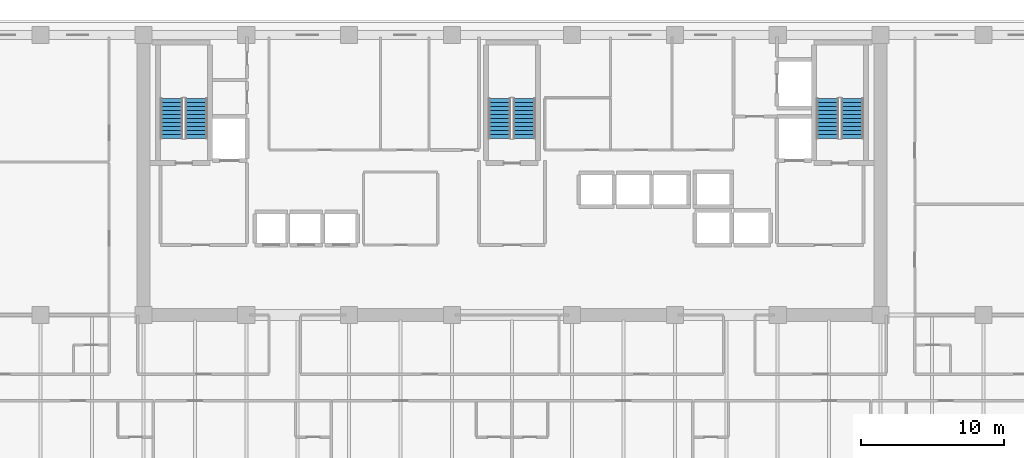
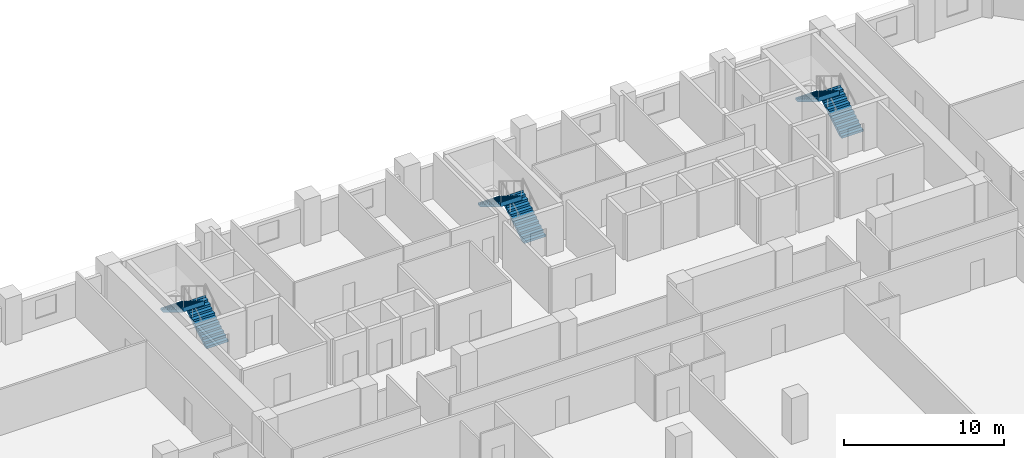
# One storey, part 11 of 15: 6 stair flights, 3 elements without a shape of their own.
"""IFC4 building model written with IfcOpenShell, lengths in metres."""

from ifc_helpers import new_model, si_unit, direction, frame, origin, place, context, subcontext, project, spatial, polyline, outline, extrude, material, type_object, element, aggregate, save


model = new_model("IFC4")

# Units and contexts
model_context = context("Model", 3, precision=1e-05, world=origin(), true_north=direction((0.0, 1.0)))
body_context = subcontext(model_context, "Body", "Model", "MODEL_VIEW")
ifc_project = project(units=[si_unit("LENGTHUNIT", "METRE"), si_unit("AREAUNIT", "SQUARE_METRE"), si_unit("VOLUMEUNIT", "CUBIC_METRE"), si_unit("PLANEANGLEUNIT", "RADIAN"), si_unit("MASSUNIT", "GRAM", prefix="KILO")], contexts=[model_context])

# Site, building, storey
site_placement = place(None, origin())
site = spatial("IfcSite", under=ifc_project, at=site_placement, CompositionType="ELEMENT")
building_placement = place(site_placement, origin())
building = spatial("IfcBuilding", under=site, at=building_placement, Name="Kaelvorn Grand Hotel", CompositionType="ELEMENT")
storey_placement = place(building_placement, frame((0.0, 0.0, 115.550048828125)))
storey = spatial("IfcBuildingStorey", under=building, at=storey_placement, Name="L27", CompositionType="ELEMENT", Elevation=115.550048828125)

# Stair, stair flights
ifc_material = material(Name="Concrete C40/50", Category="concrete")
stair_type = type_object("IfcStairType", Name="STR-DOG-1560-R06", PredefinedType="HALF_TURN_STAIR", material=ifc_material)
stair_1_placement = place(storey_placement, origin())
stair_1 = element("IfcStair", 1, at=stair_1_placement, inside=storey, type_object=stair_type, Name="L27 West Core Exit Stair ST1", PredefinedType="HALF_TURN_STAIR")
stair_flight_type = type_object("IfcStairFlightType", Name="FLG-DOG-1560-R06", PredefinedType="STRAIGHT", material=ifc_material)
stair_flight_1_placement = place(storey_placement, frame((19.89990234375, 41.760009765625, 0.0), z_axis=(0.0, 0.0, 1.0), x_axis=(0.0, 1.0, 0.0)))
stair_flight_1 = element("IfcStairFlight", 2, at=stair_flight_1_placement, type_object=stair_flight_type, Name="ST1 flight 1", NumberOfRisers=11, NumberOfTreads=10, PredefinedType="STRAIGHT", RiserHeight=0.170454545, TreadLength=0.28, context=body_context, shape_type="SweptSolid", body=[
    extrude(outline(polyline([(-0.0048828125, 0.0), (-0.0048828125, 0.0400390625), (0.0, 0.17041015625), (0.280029296875, 0.17041015625), (0.280029296875, 0.3408203125), (0.56005859375, 0.3408203125), (0.56005859375, 0.511474609375), (0.840087890625, 0.511474609375), (0.840087890625, 0.681884765625), (1.1201171875, 0.681884765625), (1.1201171875, 0.852294921875), (1.39990234375, 0.852294921875), (1.39990234375, 1.022705078125), (1.679931640625, 1.022705078125), (1.679931640625, 1.193115234375), (1.9599609375, 1.193115234375), (1.9599609375, 1.363525390625), (2.239990234375, 1.363525390625), (2.239990234375, 1.5341796875), (2.52001953125, 1.5341796875), (2.52001953125, 1.70458984375), (2.800048828125, 1.70458984375), (2.800048828125, 1.875), (2.804931640625, 1.875), (2.804931640625, 1.529052734375), (0.288330078125, 0.0), (-0.0048828125, 0.0)])), frame((0.0, 0.780029296875, 0.0), z_axis=(0.0, -1.0, 0.0), x_axis=(1.0, 0.0, 0.0)), (0.0, 0.0, 1.0), 1.56005859375),
])
stair_flight_2_placement = place(storey_placement, frame((18.179931640625, 44.56005859375, 1.875), z_axis=(0.0, 0.0, 1.0), x_axis=(0.0, -1.0, 0.0)))
stair_flight_2 = element("IfcStairFlight", 3, at=stair_flight_2_placement, type_object=stair_flight_type, Name="ST1 flight 2", NumberOfRisers=11, NumberOfTreads=10, PredefinedType="STRAIGHT", RiserHeight=0.170454545, TreadLength=0.28, context=body_context, shape_type="SweptSolid", body=[
    extrude(outline(polyline([(-0.0048828125, 0.0), (-0.0048828125, 0.0400390625), (0.0, 0.17041015625), (0.280029296875, 0.17041015625), (0.280029296875, 0.3408203125), (0.56005859375, 0.3408203125), (0.56005859375, 0.511474609375), (0.840087890625, 0.511474609375), (0.840087890625, 0.681884765625), (1.1201171875, 0.681884765625), (1.1201171875, 0.852294921875), (1.39990234375, 0.852294921875), (1.39990234375, 1.022705078125), (1.679931640625, 1.022705078125), (1.679931640625, 1.193115234375), (1.9599609375, 1.193115234375), (1.9599609375, 1.363525390625), (2.239990234375, 1.363525390625), (2.239990234375, 1.5341796875), (2.52001953125, 1.5341796875), (2.52001953125, 1.70458984375), (2.800048828125, 1.70458984375), (2.800048828125, 1.875), (2.804931640625, 1.875), (2.804931640625, 1.529052734375), (0.288330078125, 0.0), (-0.0048828125, 0.0)])), frame((0.0, 0.780029296875, 0.0), z_axis=(0.0, -1.0, 0.0), x_axis=(1.0, 0.0, 0.0)), (0.0, 0.0, 1.0), 1.56005859375),
])
aggregate(stair_1, [stair_flight_1, stair_flight_2])

stair_2_placement = place(storey_placement, origin())
stair_2 = element("IfcStair", 4, at=stair_2_placement, inside=storey, type_object=stair_type, Name="L27 Central Core Exit Stair ST2", PredefinedType="HALF_TURN_STAIR")
stair_flight_3_placement = place(storey_placement, frame((42.860107421875, 41.760009765625, 0.0), z_axis=(0.0, 0.0, 1.0), x_axis=(0.0, 1.0, 0.0)))
stair_flight_3 = element("IfcStairFlight", 5, at=stair_flight_3_placement, type_object=stair_flight_type, Name="ST2 flight 1", NumberOfRisers=11, NumberOfTreads=10, PredefinedType="STRAIGHT", RiserHeight=0.170454545, TreadLength=0.28, context=body_context, shape_type="SweptSolid", body=[
    extrude(outline(polyline([(-0.0048828125, 0.0), (-0.0048828125, 0.0400390625), (0.0, 0.17041015625), (0.280029296875, 0.17041015625), (0.280029296875, 0.3408203125), (0.56005859375, 0.3408203125), (0.56005859375, 0.511474609375), (0.840087890625, 0.511474609375), (0.840087890625, 0.681884765625), (1.1201171875, 0.681884765625), (1.1201171875, 0.852294921875), (1.39990234375, 0.852294921875), (1.39990234375, 1.022705078125), (1.679931640625, 1.022705078125), (1.679931640625, 1.193115234375), (1.9599609375, 1.193115234375), (1.9599609375, 1.363525390625), (2.239990234375, 1.363525390625), (2.239990234375, 1.5341796875), (2.52001953125, 1.5341796875), (2.52001953125, 1.70458984375), (2.800048828125, 1.70458984375), (2.800048828125, 1.875), (2.804931640625, 1.875), (2.804931640625, 1.529052734375), (0.288330078125, 0.0), (-0.0048828125, 0.0)])), frame((0.0, 0.780029296875, 0.0), z_axis=(0.0, -1.0, 0.0), x_axis=(1.0, 0.0, 0.0)), (0.0, 0.0, 1.0), 1.56005859375),
])
stair_flight_4_placement = place(storey_placement, frame((41.139892578125, 44.56005859375, 1.875), z_axis=(0.0, 0.0, 1.0), x_axis=(0.0, -1.0, 0.0)))
stair_flight_4 = element("IfcStairFlight", 6, at=stair_flight_4_placement, type_object=stair_flight_type, Name="ST2 flight 2", NumberOfRisers=11, NumberOfTreads=10, PredefinedType="STRAIGHT", RiserHeight=0.170454545, TreadLength=0.28, context=body_context, shape_type="SweptSolid", body=[
    extrude(outline(polyline([(-0.0048828125, 0.0), (-0.0048828125, 0.0400390625), (0.0, 0.17041015625), (0.280029296875, 0.17041015625), (0.280029296875, 0.3408203125), (0.56005859375, 0.3408203125), (0.56005859375, 0.511474609375), (0.840087890625, 0.511474609375), (0.840087890625, 0.681884765625), (1.1201171875, 0.681884765625), (1.1201171875, 0.852294921875), (1.39990234375, 0.852294921875), (1.39990234375, 1.022705078125), (1.679931640625, 1.022705078125), (1.679931640625, 1.193115234375), (1.9599609375, 1.193115234375), (1.9599609375, 1.363525390625), (2.239990234375, 1.363525390625), (2.239990234375, 1.5341796875), (2.52001953125, 1.5341796875), (2.52001953125, 1.70458984375), (2.800048828125, 1.70458984375), (2.800048828125, 1.875), (2.804931640625, 1.875), (2.804931640625, 1.529052734375), (0.288330078125, 0.0), (-0.0048828125, 0.0)])), frame((0.0, 0.780029296875, 0.0), z_axis=(0.0, -1.0, 0.0), x_axis=(1.0, 0.0, 0.0)), (0.0, 0.0, 1.0), 1.56005859375),
])
aggregate(stair_2, [stair_flight_3, stair_flight_4])

stair_3_placement = place(storey_placement, origin())
stair_3 = element("IfcStair", 7, at=stair_3_placement, inside=storey, type_object=stair_type, Name="L27 East Core Exit Stair ST3", PredefinedType="HALF_TURN_STAIR")
stair_flight_5_placement = place(storey_placement, frame((65.820068359375, 41.760009765625, 0.0), z_axis=(0.0, 0.0, 1.0), x_axis=(0.0, 1.0, 0.0)))
stair_flight_5 = element("IfcStairFlight", 8, at=stair_flight_5_placement, type_object=stair_flight_type, Name="ST3 flight 1", NumberOfRisers=11, NumberOfTreads=10, PredefinedType="STRAIGHT", RiserHeight=0.170454545, TreadLength=0.28, context=body_context, shape_type="SweptSolid", body=[
    extrude(outline(polyline([(-0.0048828125, 0.0), (-0.0048828125, 0.0400390625), (0.0, 0.17041015625), (0.280029296875, 0.17041015625), (0.280029296875, 0.3408203125), (0.56005859375, 0.3408203125), (0.56005859375, 0.511474609375), (0.840087890625, 0.511474609375), (0.840087890625, 0.681884765625), (1.1201171875, 0.681884765625), (1.1201171875, 0.852294921875), (1.39990234375, 0.852294921875), (1.39990234375, 1.022705078125), (1.679931640625, 1.022705078125), (1.679931640625, 1.193115234375), (1.9599609375, 1.193115234375), (1.9599609375, 1.363525390625), (2.239990234375, 1.363525390625), (2.239990234375, 1.5341796875), (2.52001953125, 1.5341796875), (2.52001953125, 1.70458984375), (2.800048828125, 1.70458984375), (2.800048828125, 1.875), (2.804931640625, 1.875), (2.804931640625, 1.529052734375), (0.288330078125, 0.0), (-0.0048828125, 0.0)])), frame((0.0, 0.780029296875, 0.0), z_axis=(0.0, -1.0, 0.0), x_axis=(1.0, 0.0, 0.0)), (0.0, 0.0, 1.0), 1.56005859375),
])
stair_flight_6_placement = place(storey_placement, frame((64.10009765625, 44.56005859375, 1.875), z_axis=(0.0, 0.0, 1.0), x_axis=(0.0, -1.0, 0.0)))
stair_flight_6 = element("IfcStairFlight", 9, at=stair_flight_6_placement, type_object=stair_flight_type, Name="ST3 flight 2", NumberOfRisers=11, NumberOfTreads=10, PredefinedType="STRAIGHT", RiserHeight=0.170454545, TreadLength=0.28, context=body_context, shape_type="SweptSolid", body=[
    extrude(outline(polyline([(-0.0048828125, 0.0), (-0.0048828125, 0.0400390625), (0.0, 0.17041015625), (0.280029296875, 0.17041015625), (0.280029296875, 0.3408203125), (0.56005859375, 0.3408203125), (0.56005859375, 0.511474609375), (0.840087890625, 0.511474609375), (0.840087890625, 0.681884765625), (1.1201171875, 0.681884765625), (1.1201171875, 0.852294921875), (1.39990234375, 0.852294921875), (1.39990234375, 1.022705078125), (1.679931640625, 1.022705078125), (1.679931640625, 1.193115234375), (1.9599609375, 1.193115234375), (1.9599609375, 1.363525390625), (2.239990234375, 1.363525390625), (2.239990234375, 1.5341796875), (2.52001953125, 1.5341796875), (2.52001953125, 1.70458984375), (2.800048828125, 1.70458984375), (2.800048828125, 1.875), (2.804931640625, 1.875), (2.804931640625, 1.529052734375), (0.288330078125, 0.0), (-0.0048828125, 0.0)])), frame((0.0, 0.780029296875, 0.0), z_axis=(0.0, -1.0, 0.0), x_axis=(1.0, 0.0, 0.0)), (0.0, 0.0, 1.0), 1.56005859375),
])
aggregate(stair_3, [stair_flight_5, stair_flight_6])

save(model, "model.ifc")
